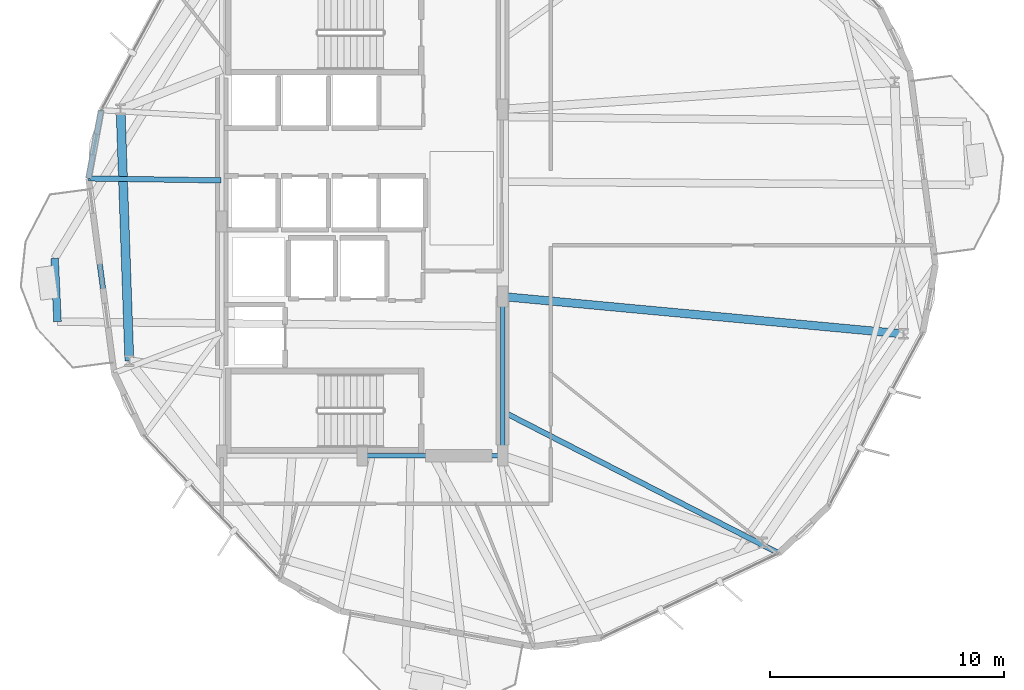
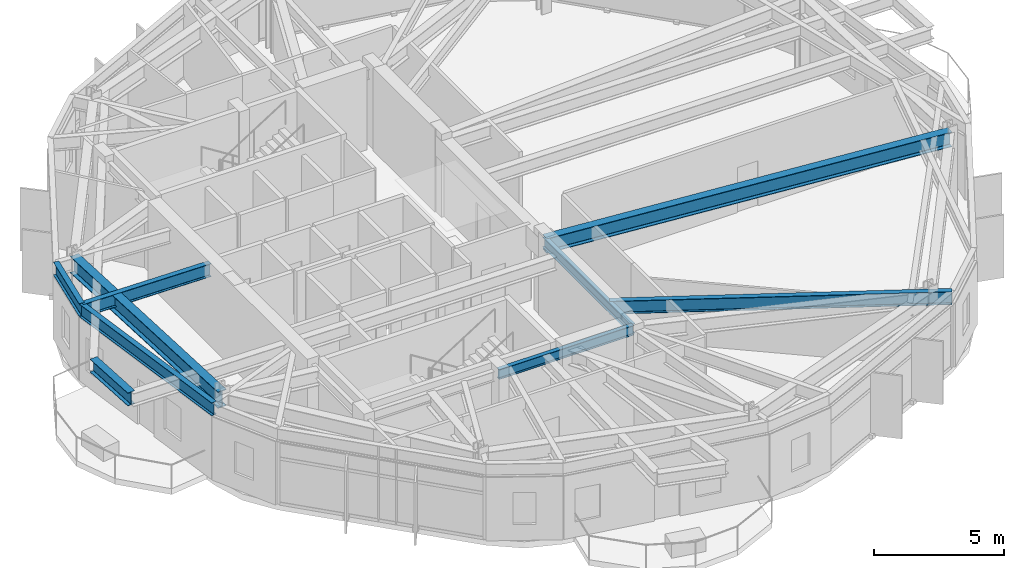
# One storey, part 7 of 25: 9 beams.
"""IFC4 building model written with IfcOpenShell, lengths in metres."""

from ifc_helpers import new_model, si_unit, direction, frame, origin, origin_2d, place, context, subcontext, project, spatial, i_section, extrude, material, material_profile, profile_set, type_object, element, save


model = new_model("IFC4")

# Units and contexts
model_context = context("Model", 3, precision=1e-05, world=origin(), true_north=direction((0.0, 1.0)))
body_context = subcontext(model_context, "Body", "Model", "MODEL_VIEW")
ifc_project = project(units=[si_unit("LENGTHUNIT", "METRE"), si_unit("AREAUNIT", "SQUARE_METRE"), si_unit("VOLUMEUNIT", "CUBIC_METRE"), si_unit("PLANEANGLEUNIT", "RADIAN"), si_unit("MASSUNIT", "GRAM", prefix="KILO")], contexts=[model_context])

# Site, building, storey
site_placement = place(None, origin())
site = spatial("IfcSite", under=ifc_project, at=site_placement, CompositionType="ELEMENT")
building_placement = place(site_placement, origin())
building = spatial("IfcBuilding", under=site, at=building_placement, Name="Soratama Intermodal Tower", CompositionType="ELEMENT")
storey_placement = place(building_placement, frame((0.0, 0.0, 126.39990234375)))
storey = spatial("IfcBuildingStorey", under=building, at=storey_placement, Name="L30", CompositionType="ELEMENT", Elevation=126.39990234375)

# Beams
ifc_material_1 = material(Name="Structural steel ASTM A992 Grade 50", Category="steel")
ifc_material_profile_1 = material_profile(ifc_material_1, i_section(OverallWidth=0.324951171875, OverallDepth=0.615966796875, WebThickness=0.013916015625, FlangeThickness=0.021484375, FilletRadius=0.013916015625, at=origin_2d()), Name="W24X117")
ifc_profile_set_1 = profile_set([ifc_material_profile_1], Name="Structural steel ASTM A992 Grade 50")
beam_type_1 = type_object("IfcBeamType", Name="BM-CANT-W24X117", PredefinedType="BEAM", material=ifc_profile_set_1)
beam_1_placement = place(storey_placement, frame((25.4560546875, 23.43310546875, 3.2919921875), z_axis=(0.045473143338, -0.998965561586, 0.0), x_axis=(0.998965561586, 0.045473143338, 0.0)))
element("IfcBeam", 1, at=beam_1_placement, inside=storey, type_object=beam_type_1, Name="BM-L30-CBHDR-2", PredefinedType="BEAM", context=body_context, shape_type="SweptSolid", body=[
    extrude(i_section(OverallWidth=0.324951171875, OverallDepth=0.615966796875, WebThickness=0.013916015625, FlangeThickness=0.021484375, FilletRadius=0.013916015625, at=origin_2d()), origin(), (0.0, 0.0, 1.0), 2.705810546875),
])
ifc_material_2 = material(Name="Structural steel ASTM A992 Grade 50", Category="steel")
ifc_material_profile_2 = material_profile(ifc_material_2, i_section(OverallWidth=0.19091796875, OverallDepth=0.4599609375, WebThickness=0.010009765625, FlangeThickness=0.01611328125, FilletRadius=0.010986328125, at=origin_2d()), Name="W18X55")
ifc_profile_set_2 = profile_set([ifc_material_profile_2], Name="Structural steel ASTM A992 Grade 50")
beam_type_2 = type_object("IfcBeamType", Name="BM-FLR-W18X55", PredefinedType="BEAM", material=ifc_profile_set_2)
beam_2_placement = place(storey_placement, frame((38.60009765625, 15.0, 3.3701171875), z_axis=(1.0, 0.0, 0.0), x_axis=(0.0, 1.0, 0.0)))
element("IfcBeam", 2, at=beam_2_placement, inside=storey, type_object=beam_type_2, Name="BM-L30-CRING-02", PredefinedType="BEAM", context=body_context, shape_type="SweptSolid", body=[
    extrude(i_section(OverallWidth=0.19091796875, OverallDepth=0.4599609375, WebThickness=0.010009765625, FlangeThickness=0.01611328125, FilletRadius=0.010986328125, at=origin_2d()), origin(), (0.0, 0.0, 1.0), 6.0),
])
beam_3_placement = place(storey_placement, frame((44.60009765625, 15.0, 3.3701171875), z_axis=(0.0, 1.0, 0.0), x_axis=(-1.0, 0.0, 0.0)))
element("IfcBeam", 3, at=beam_3_placement, inside=storey, type_object=beam_type_2, Name="BM-L30-CRING-03", PredefinedType="BEAM", context=body_context, shape_type="SweptSolid", body=[
    extrude(i_section(OverallWidth=0.19091796875, OverallDepth=0.4599609375, WebThickness=0.010009765625, FlangeThickness=0.01611328125, FilletRadius=0.010986328125, at=origin_2d()), origin(), (0.0, 0.0, 1.0), 6.800048828125),
])
ifc_material_3 = material(Name="Structural steel ASTM A992 Grade 50", Category="steel")
ifc_material_profile_3 = material_profile(ifc_material_3, i_section(OverallWidth=0.35498046875, OverallDepth=0.695068359375, WebThickness=0.015380859375, FlangeThickness=0.02490234375, FilletRadius=0.01611328125, at=origin_2d()), Name="W27X146")
ifc_profile_set_3 = profile_set([ifc_material_profile_3], Name="Structural steel ASTM A992 Grade 50")
beam_type_3 = type_object("IfcBeamType", Name="BM-RING-W27X146", PredefinedType="BEAM", material=ifc_profile_set_3)
beam_4_placement = place(storey_placement, frame((44.60009765625, 21.800048828125, 3.252685546875), z_axis=(0.995686011515, -0.092786671855, 0.0), x_axis=(0.092786671855, 0.995686011515, 0.0)))
element("IfcBeam", 4, at=beam_4_placement, inside=storey, type_object=beam_type_3, Name="BM-L30-RAD-10", PredefinedType="BEAM", context=body_context, shape_type="SweptSolid", body=[
    extrude(i_section(OverallWidth=0.35498046875, OverallDepth=0.695068359375, WebThickness=0.015380859375, FlangeThickness=0.02490234375, FilletRadius=0.01611328125, at=origin_2d()), origin(), (0.0, 0.0, 1.0), 17.2001953125),
])
ifc_material_4 = material(Name="Structural steel ASTM A992 Grade 50", Category="steel")
ifc_material_profile_4 = material_profile(ifc_material_4, i_section(OverallWidth=0.382080078125, OverallDepth=0.779052734375, WebThickness=0.01806640625, FlangeThickness=0.030029296875, FilletRadius=0.01806640625, at=origin_2d()), Name="W30X191")
ifc_profile_set_4 = profile_set([ifc_material_profile_4], Name="Structural steel ASTM A992 Grade 50")
beam_type_4 = type_object("IfcBeamType", Name="BM-RING-W30X191", PredefinedType="BEAM", material=ifc_profile_set_4)
beam_5_placement = place(storey_placement, frame((28.27392578125, 29.7958984375, 3.210693359375), z_axis=(0.034872799059, -0.999391758964, 0.0), x_axis=(0.999391758964, 0.034872799059, 0.0)))
element("IfcBeam", 5, at=beam_5_placement, inside=storey, type_object=beam_type_4, Name="BM-L30-RING-05", PredefinedType="BEAM", context=body_context, shape_type="SweptSolid", body=[
    extrude(i_section(OverallWidth=0.382080078125, OverallDepth=0.779052734375, WebThickness=0.01806640625, FlangeThickness=0.030029296875, FilletRadius=0.01806640625, at=origin_2d()), origin(), (0.0, 0.0, 1.0), 10.75341796875),
])
ifc_material_5 = material(Name="Structural steel ASTM A992 Grade 50", Category="steel")
ifc_material_profile_5 = material_profile(ifc_material_5, i_section(OverallWidth=0.22900390625, OverallDepth=0.612060546875, WebThickness=0.011962890625, FlangeThickness=0.01953125, FilletRadius=0.012939453125, at=origin_2d()), Name="W24X84")
ifc_profile_set_5 = profile_set([ifc_material_profile_5], Name="Structural steel ASTM A992 Grade 50")
beam_type_5 = type_object("IfcBeamType", Name="BM-SPN-W24X84", PredefinedType="SPANDREL", material=ifc_profile_set_5)
beam_6_placement = place(storey_placement, frame((27.444091796875, 29.761962890625, 3.294189453125), z_axis=(-0.182419400227, -0.983220810612, 0.0), x_axis=(0.983220810612, -0.182419400227, 0.0)))
element("IfcBeam", 6, at=beam_6_placement, inside=storey, type_object=beam_type_5, Name="BS-L30-CRN04", PredefinedType="SPANDREL", context=body_context, shape_type="SweptSolid", body=[
    extrude(i_section(OverallWidth=0.22900390625, OverallDepth=0.612060546875, WebThickness=0.011962890625, FlangeThickness=0.01953125, FilletRadius=0.012939453125, at=origin_2d()), origin(), (0.0, 0.0, 1.0), 2.9658203125),
])
beam_7_placement = place(storey_placement, frame((26.903076171875, 26.845947265625, 3.294189453125), z_axis=(0.130605168203, -0.991434460788, 0.0), x_axis=(0.991434460788, 0.130605168203, 0.0)))
element("IfcBeam", 7, at=beam_7_placement, inside=storey, type_object=beam_type_5, Name="BS-L30-F05", PredefinedType="SPANDREL", context=body_context, shape_type="SweptSolid", body=[
    extrude(i_section(OverallWidth=0.22900390625, OverallDepth=0.612060546875, WebThickness=0.011962890625, FlangeThickness=0.01953125, FilletRadius=0.012939453125, at=origin_2d()), origin(), (0.0, 0.0, 1.0), 8.3837890625),
])
ifc_material_6 = material(Name="Structural steel ASTM A992 Grade 50", Category="steel")
ifc_material_profile_6 = material_profile(ifc_material_6, i_section(OverallWidth=0.22900390625, OverallDepth=0.612060546875, WebThickness=0.011962890625, FlangeThickness=0.01953125, FilletRadius=0.012939453125, at=origin_2d()), Name="W24X84")
ifc_profile_set_6 = profile_set([ifc_material_profile_6], Name="Structural steel ASTM A992 Grade 50")
beam_type_6 = type_object("IfcBeamType", Name="BM-TIE-W24X84", PredefinedType="BEAM", material=ifc_profile_set_6)
beam_8_placement = place(storey_placement, frame((32.56005859375, 26.763916015625, 3.294189453125), z_axis=(-0.999894878749, 0.014499360375, 0.0), x_axis=(-0.014499360375, -0.999894878749, 0.0)))
element("IfcBeam", 8, at=beam_8_placement, inside=storey, type_object=beam_type_6, Name="BM-L30-TIE0-05", PredefinedType="BEAM", context=body_context, shape_type="SweptSolid", body=[
    extrude(i_section(OverallWidth=0.22900390625, OverallDepth=0.612060546875, WebThickness=0.011962890625, FlangeThickness=0.01953125, FilletRadius=0.012939453125, at=origin_2d()), origin(), (0.0, 0.0, 1.0), 5.657470703125),
])
beam_9_placement = place(storey_placement, frame((44.635986328125, 16.8701171875, 3.294189453125), z_axis=(0.889592353093, -0.456755345145, 0.0), x_axis=(0.456755345145, 0.889592353093, 0.0)))
element("IfcBeam", 9, at=beam_9_placement, inside=storey, type_object=beam_type_6, Name="BM-L30-TIE1-08", PredefinedType="BEAM", context=body_context, shape_type="SweptSolid", body=[
    extrude(i_section(OverallWidth=0.22900390625, OverallDepth=0.612060546875, WebThickness=0.011962890625, FlangeThickness=0.01953125, FilletRadius=0.012939453125, at=origin_2d()), origin(), (0.0, 0.0, 1.0), 13.228515625),
])

save(model, "model.ifc")
